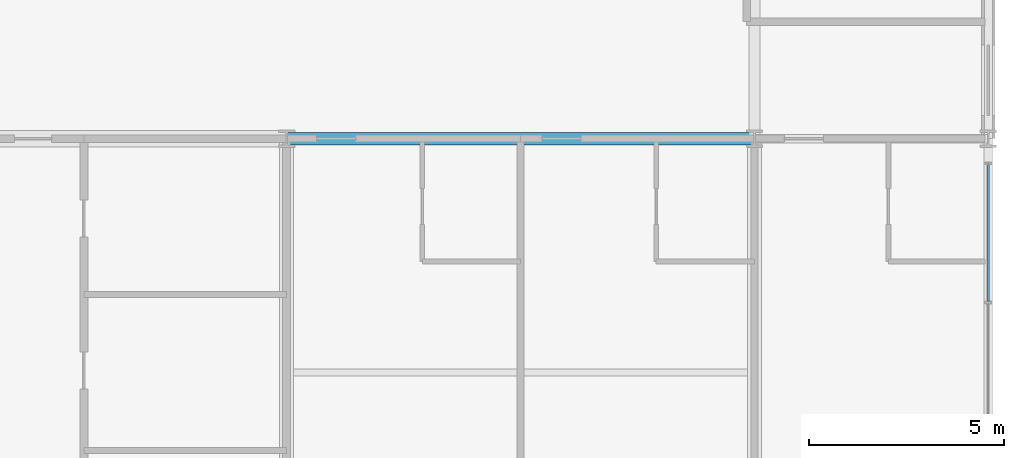
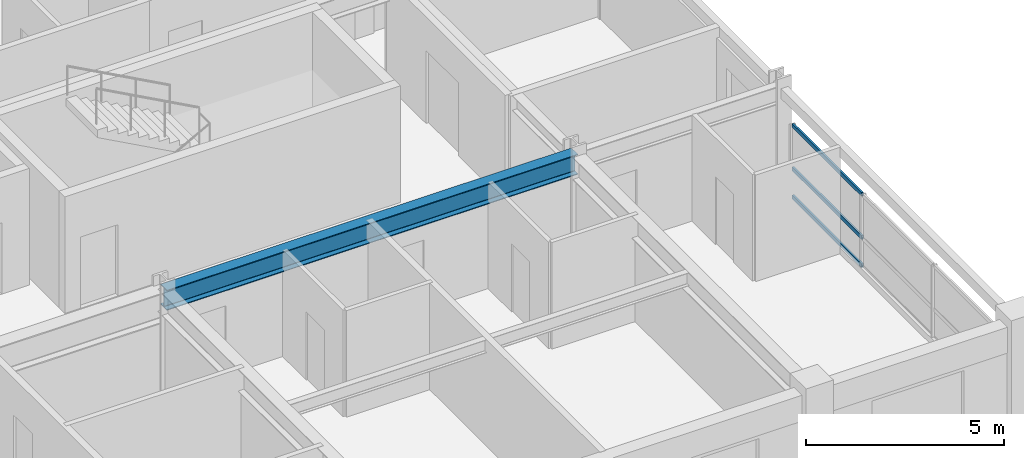
# One storey, part 11 of 26: 3 members, 1 beam, 1 element without a shape of its own.
"""IFC4 building model written with IfcOpenShell, lengths in metres."""

from ifc_helpers import new_model, si_unit, direction, frame, origin, origin_2d, place, context, subcontext, project, spatial, hollow_rectangle, i_section, extrude, material, material_profile, profile_set, type_object, element, aggregate, save


model = new_model("IFC4")

# Units and contexts
model_context = context("Model", 3, precision=1e-05, world=origin(), true_north=direction((0.0, 1.0)))
body_context = subcontext(model_context, "Body", "Model", "MODEL_VIEW")
ifc_project = project(units=[si_unit("LENGTHUNIT", "METRE"), si_unit("AREAUNIT", "SQUARE_METRE"), si_unit("VOLUMEUNIT", "CUBIC_METRE"), si_unit("PLANEANGLEUNIT", "RADIAN"), si_unit("MASSUNIT", "GRAM", prefix="KILO")], contexts=[model_context])

# Site, building, storey
site_placement = place(None, origin())
site = spatial("IfcSite", under=ifc_project, at=site_placement, CompositionType="ELEMENT")
building_placement = place(site_placement, origin())
building = spatial("IfcBuilding", under=site, at=building_placement, Name="Kaldorvane Square Convention Centre", CompositionType="ELEMENT")
storey_placement = place(building_placement, frame((0.0, 0.0, 45.600006103515625)))
storey = spatial("IfcBuildingStorey", under=building, at=storey_placement, Name="L10", CompositionType="ELEMENT", Elevation=45.600006103515625)

# Beam
ifc_material_1 = material(Name="Steel ASTM A992 Gr. 50", Category="steel")
ifc_material_profile_1 = material_profile(ifc_material_1, i_section(OverallWidth=0.326507568359375, OverallDepth=0.621795654296875, WebThickness=0.0153961181640625, FlangeThickness=0.0243988037109375, FilletRadius=0.0126953125, at=origin_2d()), Name="W24X131")
ifc_profile_set_1 = profile_set([ifc_material_profile_1], Name="Steel ASTM A992 Gr. 50")
beam_type = type_object("IfcBeamType", Name="BM-GR-W24X131", PredefinedType="BEAM", material=ifc_profile_set_1)
beam_placement = place(storey_placement, frame((66.0, 96.0, 2.97509765625), z_axis=(1.0, 0.0, 0.0), x_axis=(0.0, 1.0, 0.0)))
element("IfcBeam", 1, at=beam_placement, inside=storey, type_object=beam_type, Name="Primary Girder (L10)", PredefinedType="BEAM", context=body_context, shape_type="SweptSolid", body=[
    extrude(i_section(OverallWidth=0.326507568359375, OverallDepth=0.621795654296875, WebThickness=0.0153961181640625, FlangeThickness=0.0243988037109375, FilletRadius=0.0126953125, at=origin_2d()), origin(), (0.0, 0.0, 1.0), 12.0),
])

# Curtain wall, members
ifc_material_2 = material(Name="Anodized Aluminum and Low-E Insulated Glazing", Category="aluminium")
curtain_wall_type = type_object("IfcCurtainWallType", Name="CW-UNI-HTL-A", PredefinedType="USERDEFINED", material=ifc_material_2)
curtain_wall_placement = place(storey_placement, origin())
curtain_wall = element("IfcCurtainWall", 2, at=curtain_wall_placement, inside=storey, type_object=curtain_wall_type, Name="Curtain Wall CW-10 (L10)", ObjectType="UNITISED GLAZING", PredefinedType="USERDEFINED")
ifc_material_profile_2 = material_profile(ifc_material_2, hollow_rectangle(XDim=0.05499267578125, YDim=0.1199951171875, WallThickness=0.0030059814453125, at=origin_2d()), Name="CWT-120X55")
ifc_profile_set_2 = profile_set([ifc_material_profile_2], Name="Anodized Aluminum and Low-E Insulated Glazing")
member_type = type_object("IfcMemberType", Name="CW-TRN-120", PredefinedType="USERDEFINED", material=ifc_profile_set_2)
member_1_placement = place(storey_placement, frame((84.0, 91.83000183105469, 0.177490234375), z_axis=(0.0, 1.0, 0.0), x_axis=(-1.0, 0.0, 0.0)))
member_1 = element("IfcMember", 3, at=member_1_placement, type_object=member_type, Name="CW-10 transom 3.1", ObjectType="TRANSOM", PredefinedType="USERDEFINED", context=body_context, shape_type="SweptSolid", body=[
    extrude(hollow_rectangle(XDim=0.05499267578125, YDim=0.1199951171875, WallThickness=0.0030059814453125, at=origin_2d()), origin(), (0.0, 0.0, 1.0), 3.5099945068359375),
])
member_2_placement = place(storey_placement, frame((84.0, 91.83000183105469, 1.04998779296875), z_axis=(0.0, 1.0, 0.0), x_axis=(-1.0, 0.0, 0.0)))
member_2 = element("IfcMember", 4, at=member_2_placement, type_object=member_type, Name="CW-10 transom 3.2", ObjectType="TRANSOM", PredefinedType="USERDEFINED", context=body_context, shape_type="SweptSolid", body=[
    extrude(hollow_rectangle(XDim=0.05499267578125, YDim=0.1199951171875, WallThickness=0.0030059814453125, at=origin_2d()), origin(), (0.0, 0.0, 1.0), 3.5099945068359375),
])
member_3_placement = place(storey_placement, frame((84.0, 91.83000183105469, 2.3824920654296875), z_axis=(0.0, 1.0, 0.0), x_axis=(-1.0, 0.0, 0.0)))
member_3 = element("IfcMember", 5, at=member_3_placement, type_object=member_type, Name="CW-10 transom 3.3", ObjectType="TRANSOM", PredefinedType="USERDEFINED", context=body_context, shape_type="SweptSolid", body=[
    extrude(hollow_rectangle(XDim=0.05499267578125, YDim=0.1199951171875, WallThickness=0.0030059814453125, at=origin_2d()), origin(), (0.0, 0.0, 1.0), 3.5099945068359375),
])
aggregate(curtain_wall, [member_1, member_2, member_3])

save(model, "model.ifc")
